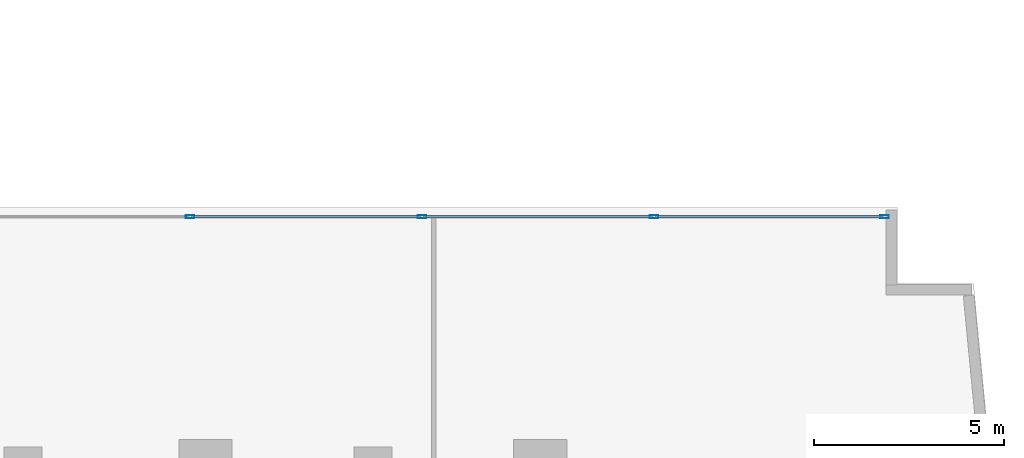
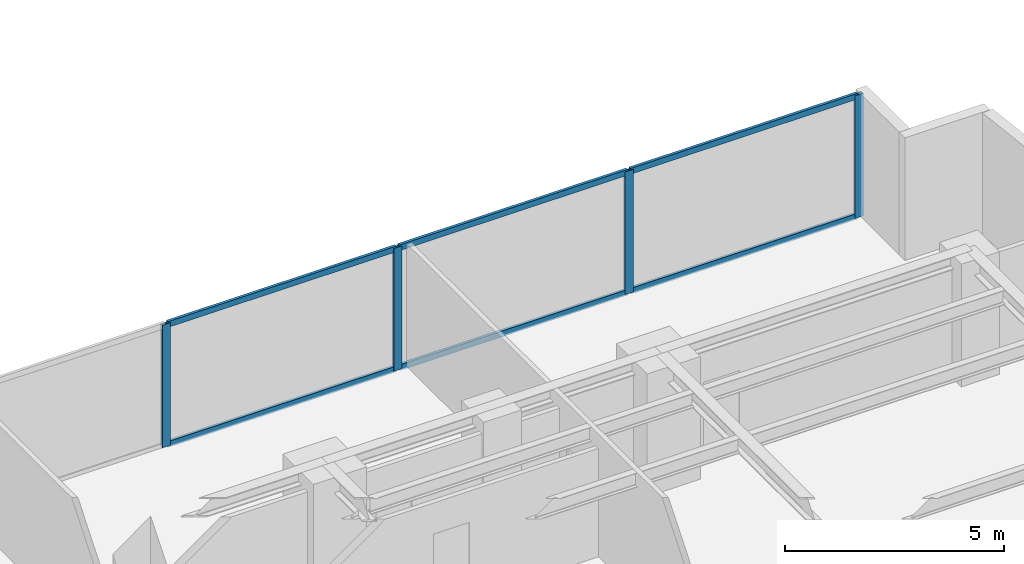
# One storey, part 13 of 25: 10 members, 1 element without a shape of its own.
"""IFC4 building model written with IfcOpenShell, lengths in metres."""

from ifc_helpers import new_model, si_unit, direction, frame, origin, origin_with_axes, origin_2d, place, context, subcontext, project, spatial, hollow_rectangle, extrude, source, transform, mapped, material, layer, layer_set, material_profile, profile_set, type_object, element, aggregate, save


model = new_model("IFC4")

# Units and contexts
model_context = context("Model", 3, precision=1e-05, world=origin(), true_north=direction((0.0, 1.0)))
body_context = subcontext(model_context, "Body", "Model", "MODEL_VIEW")
ifc_project = project(units=[si_unit("LENGTHUNIT", "METRE"), si_unit("AREAUNIT", "SQUARE_METRE"), si_unit("VOLUMEUNIT", "CUBIC_METRE"), si_unit("PLANEANGLEUNIT", "RADIAN"), si_unit("MASSUNIT", "GRAM", prefix="KILO")], contexts=[model_context])

# Site, building, storey
site_placement = place(None, origin())
site = spatial("IfcSite", under=ifc_project, at=site_placement, CompositionType="ELEMENT")
building_placement = place(site_placement, origin())
building = spatial("IfcBuilding", under=site, at=building_placement, Name="Kolvaren Waterfront Exchange", CompositionType="ELEMENT")
storey_placement = place(building_placement, frame((0.0, 0.0, 137.300048828125)))
storey = spatial("IfcBuildingStorey", under=building, at=storey_placement, Name="L35", CompositionType="ELEMENT", Elevation=137.300048828125)

# Curtain wall, members
ifc_material_1 = material(Name="Anodised bronze aluminium 6063-T6", Category="aluminium")
ifc_layer = layer(ifc_material_1, 0.219970703125, Name="Anodised bronze aluminium 6063-T6")
ifc_layer_set = layer_set([ifc_layer], Name="Anodised bronze aluminium 6063-T6")
curtain_wall_type = type_object("IfcCurtainWallType", Name="ARC-CW-SYS1", PredefinedType="USERDEFINED", material=ifc_layer_set)
curtain_wall_placement = place(storey_placement, origin())
curtain_wall = element("IfcCurtainWall", 1, at=curtain_wall_placement, inside=storey, type_object=curtain_wall_type, Name="L35 stick curtain wall CW1 (CW-L35-EN)", ObjectType="STICK CURTAIN WALL", PredefinedType="USERDEFINED")
ifc_material_2 = material(Name="Anodised aluminium 6063-T6", Category="aluminium")
ifc_material_profile_1 = material_profile(ifc_material_2, hollow_rectangle(XDim=0.080078125, YDim=0.219970703125, WallThickness=0.0048828125, at=origin_2d()), Name="ALU-MUL-220x80x5")
ifc_profile_set_1 = profile_set([ifc_material_profile_1], Name="Anodised aluminium 6063-T6")
member_type_1 = type_object("IfcMemberType", Name="ARC-CWM-220", PredefinedType="MULLION", material=ifc_profile_set_1)
shared_shape_1 = source(origin_with_axes(), body_context, "Body", "SweptSolid", [
    extrude(hollow_rectangle(XDim=0.080078125, YDim=0.219970703125, WallThickness=0.0048828125, at=origin_2d()), origin(), (0.0, 0.0, 1.0), 3.419921875),
])
member_1_placement = place(storey_placement, frame((36.392578125, 23.9599609375, 0.0), z_axis=(0.0, 0.0, 1.0), x_axis=(0.0, 1.0, 0.0)))
member_1 = element("IfcMember", 2, at=member_1_placement, type_object=member_type_1, Name="CW1 mullion 2", PredefinedType="MULLION", context=body_context, shape_type="MappedRepresentation", body=[
    mapped(shared_shape_1, transform((0.0, 0.0, 0.0), x_axis=(1.0, 0.0, 0.0), y_axis=(0.0, 1.0, 0.0), z_axis=(0.0, 0.0, 1.0), scale=1.0)),
])
member_2_placement = place(storey_placement, frame((42.4951171875, 23.9599609375, 0.0), z_axis=(0.0, 0.0, 1.0), x_axis=(0.0, 1.0, 0.0)))
member_2 = element("IfcMember", 3, at=member_2_placement, type_object=member_type_1, Name="CW1 mullion 3", PredefinedType="MULLION", context=body_context, shape_type="MappedRepresentation", body=[
    mapped(shared_shape_1, transform((0.0, 0.0, 0.0), x_axis=(1.0, 0.0, 0.0), y_axis=(0.0, 1.0, 0.0), z_axis=(0.0, 0.0, 1.0), scale=1.0)),
])
member_3_placement = place(storey_placement, frame((48.597412109375, 23.9599609375, 0.0), z_axis=(0.0, 0.0, 1.0), x_axis=(0.0, 1.0, 0.0)))
member_3 = element("IfcMember", 4, at=member_3_placement, type_object=member_type_1, Name="CW1 mullion 4", PredefinedType="MULLION", context=body_context, shape_type="MappedRepresentation", body=[
    mapped(shared_shape_1, transform((0.0, 0.0, 0.0), x_axis=(1.0, 0.0, 0.0), y_axis=(0.0, 1.0, 0.0), z_axis=(0.0, 0.0, 1.0), scale=1.0)),
])
member_4_placement = place(storey_placement, frame((54.659912109375, 23.9599609375, 0.0), z_axis=(0.0, 0.0, 1.0), x_axis=(0.0, 1.0, 0.0)))
member_4 = element("IfcMember", 5, at=member_4_placement, type_object=member_type_1, Name="CW1 mullion 5", PredefinedType="MULLION", context=body_context, shape_type="MappedRepresentation", body=[
    mapped(shared_shape_1, transform((0.0, 0.0, 0.0), x_axis=(1.0, 0.0, 0.0), y_axis=(0.0, 1.0, 0.0), z_axis=(0.0, 0.0, 1.0), scale=1.0)),
])
ifc_material_profile_2 = material_profile(ifc_material_2, hollow_rectangle(XDim=0.074951171875, YDim=0.159912109375, WallThickness=0.00439453125, at=origin_2d()), Name="ALU-TRN-160x75x4.5")
ifc_profile_set_2 = profile_set([ifc_material_profile_2], Name="Anodised aluminium 6063-T6")
member_type_2 = type_object("IfcMemberType", Name="ARC-CWT-160", PredefinedType="USERDEFINED", material=ifc_profile_set_2)
shared_shape_2 = source(origin_with_axes(), body_context, "Body", "SweptSolid", [
    extrude(hollow_rectangle(XDim=0.074951171875, YDim=0.159912109375, WallThickness=0.00439453125, at=origin_2d()), origin(), (0.0, 0.0, 1.0), 6.0224609375),
])
member_5_placement = place(storey_placement, frame((36.4326171875, 23.9599609375, 0.037353515625), z_axis=(1.0, 0.0, 0.0), x_axis=(0.0, 1.0, 0.0)))
member_5 = element("IfcMember", 6, at=member_5_placement, type_object=member_type_2, Name="CW1 transom 2.1", ObjectType="TRANSOM", PredefinedType="USERDEFINED", context=body_context, shape_type="MappedRepresentation", body=[
    mapped(shared_shape_2, transform((0.0, 0.0, 0.0), x_axis=(1.0, 0.0, 0.0), y_axis=(0.0, 1.0, 0.0), z_axis=(0.0, 0.0, 1.0), scale=1.0)),
])
member_6_placement = place(storey_placement, frame((36.4326171875, 23.9599609375, 3.382568359375), z_axis=(1.0, 0.0, 0.0), x_axis=(0.0, 1.0, 0.0)))
member_6 = element("IfcMember", 7, at=member_6_placement, type_object=member_type_2, Name="CW1 transom 2.2", ObjectType="TRANSOM", PredefinedType="USERDEFINED", context=body_context, shape_type="MappedRepresentation", body=[
    mapped(shared_shape_2, transform((0.0, 0.0, 0.0), x_axis=(1.0, 0.0, 0.0), y_axis=(0.0, 1.0, 0.0), z_axis=(0.0, 0.0, 1.0), scale=1.0)),
])
shared_shape_3 = source(origin_with_axes(), body_context, "Body", "SweptSolid", [
    extrude(hollow_rectangle(XDim=0.074951171875, YDim=0.159912109375, WallThickness=0.00439453125, at=origin_2d()), origin(), (0.0, 0.0, 1.0), 6.022705078125),
])
member_7_placement = place(storey_placement, frame((42.534912109375, 23.9599609375, 0.037353515625), z_axis=(1.0, 0.0, 0.0), x_axis=(0.0, 1.0, 0.0)))
member_7 = element("IfcMember", 8, at=member_7_placement, type_object=member_type_2, Name="CW1 transom 3.1", ObjectType="TRANSOM", PredefinedType="USERDEFINED", context=body_context, shape_type="MappedRepresentation", body=[
    mapped(shared_shape_3, transform((0.0, 0.0, 0.0), x_axis=(1.0, 0.0, 0.0), y_axis=(0.0, 1.0, 0.0), z_axis=(0.0, 0.0, 1.0), scale=1.0)),
])
member_8_placement = place(storey_placement, frame((42.534912109375, 23.9599609375, 3.382568359375), z_axis=(1.0, 0.0, 0.0), x_axis=(0.0, 1.0, 0.0)))
member_8 = element("IfcMember", 9, at=member_8_placement, type_object=member_type_2, Name="CW1 transom 3.2", ObjectType="TRANSOM", PredefinedType="USERDEFINED", context=body_context, shape_type="MappedRepresentation", body=[
    mapped(shared_shape_3, transform((0.0, 0.0, 0.0), x_axis=(1.0, 0.0, 0.0), y_axis=(0.0, 1.0, 0.0), z_axis=(0.0, 0.0, 1.0), scale=1.0)),
])
shared_shape_4 = source(origin_with_axes(), body_context, "Body", "SweptSolid", [
    extrude(hollow_rectangle(XDim=0.074951171875, YDim=0.159912109375, WallThickness=0.00439453125, at=origin_2d()), origin(), (0.0, 0.0, 1.0), 5.982666015625),
])
member_9_placement = place(storey_placement, frame((48.637451171875, 23.9599609375, 0.037353515625), z_axis=(1.0, 0.0, 0.0), x_axis=(0.0, 1.0, 0.0)))
member_9 = element("IfcMember", 10, at=member_9_placement, type_object=member_type_2, Name="CW1 transom 4.1", ObjectType="TRANSOM", PredefinedType="USERDEFINED", context=body_context, shape_type="MappedRepresentation", body=[
    mapped(shared_shape_4, transform((0.0, 0.0, 0.0), x_axis=(1.0, 0.0, 0.0), y_axis=(0.0, 1.0, 0.0), z_axis=(0.0, 0.0, 1.0), scale=1.0)),
])
member_10_placement = place(storey_placement, frame((48.637451171875, 23.9599609375, 3.382568359375), z_axis=(1.0, 0.0, 0.0), x_axis=(0.0, 1.0, 0.0)))
member_10 = element("IfcMember", 11, at=member_10_placement, type_object=member_type_2, Name="CW1 transom 4.2", ObjectType="TRANSOM", PredefinedType="USERDEFINED", context=body_context, shape_type="MappedRepresentation", body=[
    mapped(shared_shape_4, transform((0.0, 0.0, 0.0), x_axis=(1.0, 0.0, 0.0), y_axis=(0.0, 1.0, 0.0), z_axis=(0.0, 0.0, 1.0), scale=1.0)),
])
aggregate(curtain_wall, [member_1, member_2, member_3, member_4, member_5, member_6, member_7, member_8, member_9, member_10])

save(model, "model.ifc")
